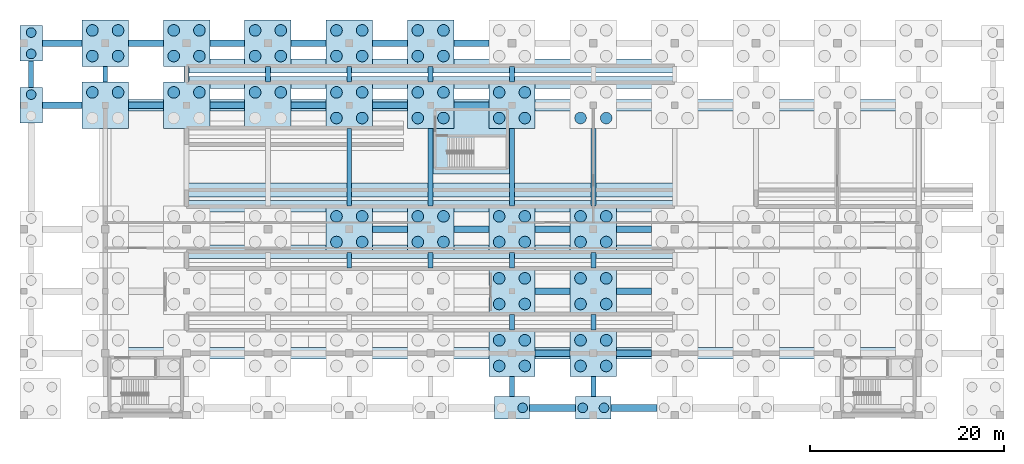
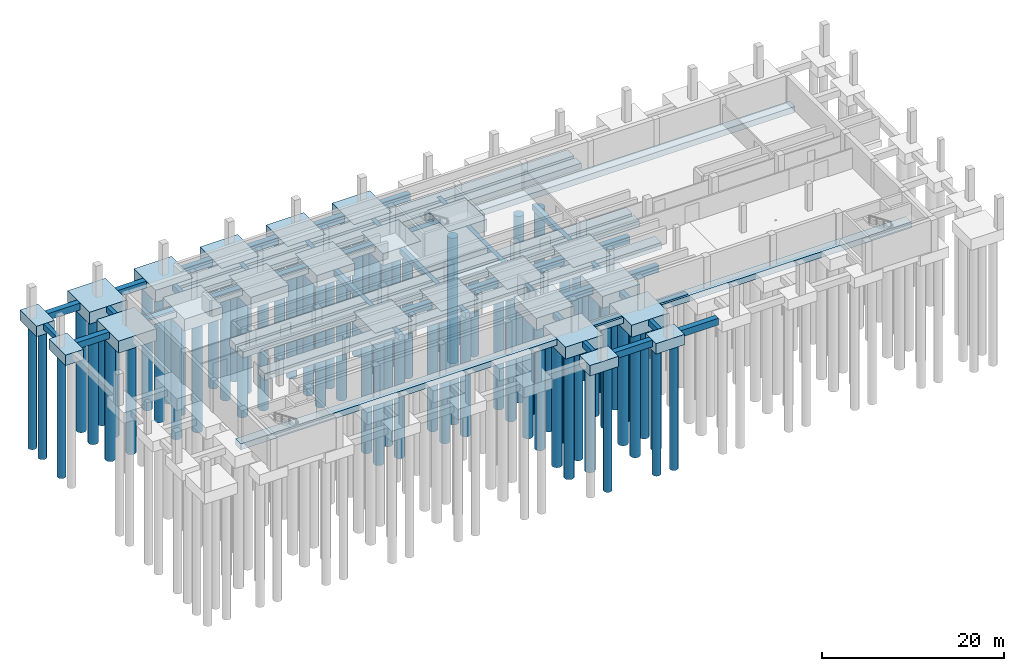
# One storey, part 2 of 9: 78 piles, 72 footings.
"""IFC4 building model written with IfcOpenShell, lengths in metres."""

import ifcopenshell
import ifcopenshell.guid

model = None  # the IFC model being written
_history = None  # IfcOwnerHistory: only IFC2X3 demands one
_inside = {}  # id of a spatial element -> (the spatial element, [elements in it])
_under = {}  # id of a project, library or spatial element -> (it, [spatial elements below it])
_declared = {}  # id of a project -> (the project, [libraries it declares])
_typed = {}  # id of a type object -> (the type object, [elements of that type])
_made_of = {}  # id of a material, layer set ... -> (it, [elements and type objects made of it])


def new_model(schema):
    """Start an empty IFC model of exactly this schema.

    Asked for "IFC4X3", IfcOpenShell would pick the latest addendum, in which some entities
    have other attributes; the version numbers below select the first issue.
    IFC2X3 requires an IfcOwnerHistory on every rooted entity: one is made here for all.
    """
    global model, _history
    if schema == "IFC4X3":
        model = ifcopenshell.file(schema_version=(4, 3, 0, 0))
    else:
        model = ifcopenshell.file(schema=schema)
    _inside.clear()
    _under.clear()
    _declared.clear()
    _typed.clear()
    _made_of.clear()
    _history = None
    if model.schema == "IFC2X3":
        org = make("IfcOrganization", Name="unknown")
        user = make(
            "IfcPersonAndOrganization",
            ThePerson=make("IfcPerson", FamilyName="unknown"),
            TheOrganization=org,
        )
        app = make(
            "IfcApplication",
            ApplicationDeveloper=org,
            Version="unknown",
            ApplicationFullName="unknown",
            ApplicationIdentifier="unknown",
        )
        _history = make(
            "IfcOwnerHistory",
            OwningUser=user,
            OwningApplication=app,
            ChangeAction="ADDED",
            CreationDate=0,
        )
    return model


def make(cls, **values):
    """One entity of the class cls with the attributes given. An attribute that is None is left unset."""
    return model.create_entity(
        cls, **{name: value for name, value in values.items() if value is not None}
    )


def rooted(cls, **values):
    """An entity with a GlobalId (a new one), such as an element, a storey or a relation."""
    return make(cls, GlobalId=ifcopenshell.guid.new(), OwnerHistory=_history, **values)


def si_unit(unit_type, name, prefix=None):
    """IfcSIUnit, for example si_unit("LENGTHUNIT", "METRE", prefix="MILLI")."""
    return make("IfcSIUnit", UnitType=unit_type, Prefix=prefix, Name=name)


def assignment(units):
    """IfcUnitAssignment: the units of a project."""
    return None if units is None else make("IfcUnitAssignment", Units=units)


def point(xyz):
    """IfcCartesianPoint."""
    return None if xyz is None else make("IfcCartesianPoint", Coordinates=xyz)


def direction(xyz):
    """IfcDirection."""
    return None if xyz is None else make("IfcDirection", DirectionRatios=xyz)


def frame(location, z_axis=None, x_axis=None):
    """IfcAxis2Placement3D, a coordinate frame: its origin and axes. An axis left out is left unset."""
    return make(
        "IfcAxis2Placement3D",
        Location=point(location),
        Axis=direction(z_axis),
        RefDirection=direction(x_axis),
    )


def frame_2d(location, x_axis=None):
    """IfcAxis2Placement2D, a coordinate frame in the plane: its origin and x axis."""
    return make(
        "IfcAxis2Placement2D", Location=point(location), RefDirection=direction(x_axis)
    )


def origin():
    """The frame at (0, 0, 0) with its axes left unset."""
    return frame((0.0, 0.0, 0.0))


def origin_2d():
    """The frame at (0, 0) in the plane with its x axis left unset."""
    return frame_2d((0.0, 0.0))


def place(relative_to, where):
    """IfcLocalPlacement: puts the frame where relative to a parent placement (None: the world)."""
    return make(
        "IfcLocalPlacement", PlacementRelTo=relative_to, RelativePlacement=where
    )


def context(
    kind, dimensions, precision=None, world=None, true_north=None, identifier=None
):
    """IfcGeometricRepresentationContext, for example the 3D "Model" context."""
    return make(
        "IfcGeometricRepresentationContext",
        ContextIdentifier=identifier,
        ContextType=kind,
        CoordinateSpaceDimension=dimensions,
        Precision=precision,
        WorldCoordinateSystem=world,
        TrueNorth=true_north,
    )


def subcontext(parent, identifier, kind, view, scale=None):
    """IfcGeometricRepresentationSubContext, for example "Body" below "Model"."""
    return make(
        "IfcGeometricRepresentationSubContext",
        ContextIdentifier=identifier,
        ContextType=kind,
        ParentContext=parent,
        TargetScale=scale,
        TargetView=view,
    )


def project(units=None, contexts=None):
    """IfcProject with its units and contexts."""
    return rooted(
        "IfcProject",
        Name="project",
        RepresentationContexts=contexts,
        UnitsInContext=assignment(units),
    )


def spatial(cls, under=None, at=None, **own):
    """A site, building, storey or space (cls), placed at a placement, below another one or the project."""
    s = rooted(cls, ObjectPlacement=at, **own)
    if under is not None:
        _under.setdefault(under.id(), (under, []))[1].append(s)
    return s


def polyline(points):
    """IfcPolyline through the points."""
    return make("IfcPolyline", Points=[point(p) for p in points])


def profile(cls, at=None, kind="AREA", **sizes):
    """A parametric profile (cls). Its sizes go by their IFC names, for example OverallWidth=200.0."""
    return make(cls, ProfileType=kind, Position=at, **sizes)


def rectangle(**sizes):
    """IfcRectangleProfileDef."""
    return profile("IfcRectangleProfileDef", **sizes)


def circle(**sizes):
    """IfcCircleProfileDef."""
    return profile("IfcCircleProfileDef", **sizes)


def outline(outer, holes=None, kind="AREA"):
    """IfcArbitraryClosedProfileDef: a profile drawn as a closed curve; with holes, ...WithVoids."""
    if holes is None:
        return make("IfcArbitraryClosedProfileDef", ProfileType=kind, OuterCurve=outer)
    return make(
        "IfcArbitraryProfileDefWithVoids",
        ProfileType=kind,
        OuterCurve=outer,
        InnerCurves=holes,
    )


def extrude(swept, where, along, depth):
    """IfcExtrudedAreaSolid: the profile swept, set in the frame where, extruded along a direction by depth."""
    return make(
        "IfcExtrudedAreaSolid",
        SweptArea=swept,
        Position=where,
        ExtrudedDirection=direction(along),
        Depth=depth,
    )


def shape(context_of_items, identifier, shape_type, items):
    """IfcShapeRepresentation: the items that make up one representation, for example the "Body"."""
    return make(
        "IfcShapeRepresentation",
        ContextOfItems=context_of_items,
        RepresentationIdentifier=identifier,
        RepresentationType=shape_type,
        Items=items,
    )


def material(Name=None, Category=None):
    """IfcMaterial."""
    return make("IfcMaterial", Name=Name, Category=Category)


def material_profile(
    of_material, cross_section, Name=None, Category=None, Priority=None
):
    """IfcMaterialProfile: a cross section and its material."""
    return make(
        "IfcMaterialProfile",
        Name=Name,
        Material=of_material,
        Profile=cross_section,
        Priority=Priority,
        Category=Category,
    )


def profile_set(profiles, Name=None, composite=None):
    """IfcMaterialProfileSet."""
    return make(
        "IfcMaterialProfileSet",
        Name=Name,
        MaterialProfiles=profiles,
        CompositeProfile=composite,
    )


def made_of(thing, what):
    """Note that an element or type object is made of a material, layer set ...; save() writes the relation."""
    if what is not None:
        _made_of.setdefault(what.id(), (what, []))[1].append(thing)
    return thing


def type_object(cls, material=None, **own):
    """A type object (cls), such as IfcWallType, which elements share."""
    return made_of(rooted(cls, **own), material)


def element(
    cls,
    number,
    at=None,
    inside=None,
    cuts=None,
    type_object=None,
    material=None,
    context=None,
    identifier="Body",
    shape_type=None,
    held_by="IfcProductDefinitionShape",
    body=None,
    shapes=None,
    **own,
):
    """One element of the class cls, such as IfcWall. Its Tag is "e" and its number.

    at: its placement. inside: the storey or other place that contains it. cuts: it is an
    opening in that element (IfcRelVoidsElement). A single representation is given by context,
    identifier, shape_type and body (its items); several are given by shapes. held_by: the class
    of the entity that holds the representations. save() writes the other relations.
    """
    e = rooted(cls, Tag="e%d" % number, ObjectPlacement=at, **own)
    if body is not None:
        shapes = [shape(context, identifier, shape_type, body)]
    if shapes is not None:
        e.Representation = make(held_by, Representations=shapes)
    if inside is not None:
        _inside.setdefault(inside.id(), (inside, []))[1].append(e)
    if cuts is not None:
        rooted(
            "IfcRelVoidsElement", RelatingBuildingElement=cuts, RelatedOpeningElement=e
        )
    if type_object is not None:
        _typed.setdefault(type_object.id(), (type_object, []))[1].append(e)
    return made_of(e, material)


def aggregate(whole, parts):
    """IfcRelAggregates: a whole, such as a stair, and the parts it consists of."""
    return rooted("IfcRelAggregates", RelatingObject=whole, RelatedObjects=parts)


def save(model, path):
    """Write the relations noted so far, then the file.

    IfcRelAggregates (storeys below a building ...), IfcRelContainedInSpatialStructure (elements
    in a storey), IfcRelDefinesByType, IfcRelAssociatesMaterial and IfcRelDeclares: one each for
    every whole, place, type object, material and project.
    """
    for whole, parts in _under.values():
        aggregate(whole, parts)
    for where, things in _inside.values():
        rooted(
            "IfcRelContainedInSpatialStructure",
            RelatedElements=things,
            RelatingStructure=where,
        )
    for kind, things in _typed.values():
        rooted("IfcRelDefinesByType", RelatedObjects=things, RelatingType=kind)
    for what, things in _made_of.values():
        rooted("IfcRelAssociatesMaterial", RelatedObjects=things, RelatingMaterial=what)
    for by, libraries in _declared.values():
        rooted("IfcRelDeclares", RelatingContext=by, RelatedDefinitions=libraries)
    model.write(path)


model = new_model("IFC4")

# Units and contexts
model_context = context("Model", 3, precision=1e-05, world=origin(), true_north=direction((0.0, 1.0)))
body_context = subcontext(model_context, "Body", "Model", "MODEL_VIEW")
ifc_project = project(units=[si_unit("LENGTHUNIT", "METRE"), si_unit("AREAUNIT", "SQUARE_METRE"), si_unit("VOLUMEUNIT", "CUBIC_METRE"), si_unit("PLANEANGLEUNIT", "RADIAN"), si_unit("MASSUNIT", "GRAM", prefix="KILO")], contexts=[model_context])

# Site, building, storey
site_placement = place(None, origin())
site = spatial("IfcSite", under=ifc_project, at=site_placement, CompositionType="ELEMENT")
building_placement = place(site_placement, origin())
building = spatial("IfcBuilding", under=site, at=building_placement, Name="Kazenagashi Tramway Depot", CompositionType="ELEMENT")
storey_placement = place(building_placement, frame((0.0, 0.0, -4.0)))
storey = spatial("IfcBuildingStorey", under=building, at=storey_placement, Name="B01", CompositionType="ELEMENT", Elevation=-4.0)

# Piles
ifc_material = material(Name="Concrete Fc30", Category="concrete")
ifc_material_profile_1 = material_profile(ifc_material, circle(Radius=0.5, at=origin_2d()), Name="PILE-1000")
ifc_profile_set_1 = profile_set([ifc_material_profile_1], Name="Concrete Fc30")
pile_type_1 = type_object("IfcPileType", Name="BP-01", PredefinedType="BORED", material=ifc_profile_set_1)
for number, where, z_axis, x_axis, name in (
    (1, (45.55, 53.8, -1.9), (0.0, 0.0, -1.0), (1.0, 0.0, 0.0), "Bored Pile BP-01 PILE-0219"),
    (2, (45.55, 56.0, -1.9), (0.0, 0.0, -1.0), (1.0, 0.0, 0.0), "Bored Pile BP-01 PILE-0220"),
    (3, (45.55, 49.6, -1.9), (0.0, 0.0, -1.0), (1.0, 0.0, 0.0), "Bored Pile BP-01 PILE-0222"),
    (4, (96.3, 17.25, -1.9), (0.0, 0.0, -1.0), (1.0, 0.0, 0.0), "Bored Pile BP-01 PILE-0334"),
    (5, (102.5, 17.25, -1.9), (0.0, 0.0, -1.0), (1.0, 0.0, 0.0), "Bored Pile BP-01 PILE-0355"),
    (6, (104.7, 17.25, -1.9), (0.0, 0.0, -1.0), (1.0, 0.0, 0.0), "Bored Pile BP-01 PILE-0356"),
):
    element("IfcPile", number, at=place(storey_placement, frame(where, z_axis=z_axis, x_axis=x_axis)), inside=storey, type_object=pile_type_1, Name=name, PredefinedType="BORED", context=body_context, shape_type="SweptSolid", body=[
        extrude(circle(Radius=0.5, at=origin_2d()), origin(), (0.0, 0.0, 1.0), 17.1),
    ])
ifc_material_profile_2 = material_profile(ifc_material, circle(Radius=0.6, at=origin_2d()), Name="PILE-1200")
ifc_profile_set_2 = profile_set([ifc_material_profile_2], Name="Concrete Fc30")
pile_type_2 = type_object("IfcPileType", Name="BP-02", PredefinedType="BORED", material=ifc_profile_set_2)
for number, where, z_axis, x_axis, name in (
    (7, (51.875, 53.575, -2.1), (0.0, 0.0, -1.0), (1.0, 0.0, 0.0), "Bored Pile BP-02 PILE-0237"),
    (8, (54.525, 53.575, -2.1), (0.0, 0.0, -1.0), (1.0, 0.0, 0.0), "Bored Pile BP-02 PILE-0238"),
    (9, (51.875, 56.225, -2.1), (0.0, 0.0, -1.0), (1.0, 0.0, 0.0), "Bored Pile BP-02 PILE-0239"),
    (10, (54.525, 56.225, -2.1), (0.0, 0.0, -1.0), (1.0, 0.0, 0.0), "Bored Pile BP-02 PILE-0240"),
    (11, (51.875, 49.825, -2.1), (0.0, 0.0, -1.0), (1.0, 0.0, 0.0), "Bored Pile BP-02 PILE-0243"),
    (12, (54.525, 49.825, -2.1), (0.0, 0.0, -1.0), (1.0, 0.0, 0.0), "Bored Pile BP-02 PILE-0244"),
    (13, (60.275, 53.575, -2.1), (0.0, 0.0, -1.0), (1.0, 0.0, 0.0), "Bored Pile BP-02 PILE-0259"),
    (14, (62.925, 53.575, -2.1), (0.0, 0.0, -1.0), (1.0, 0.0, 0.0), "Bored Pile BP-02 PILE-0260"),
    (15, (60.275, 56.225, -2.1), (0.0, 0.0, -1.0), (1.0, 0.0, 0.0), "Bored Pile BP-02 PILE-0261"),
    (16, (62.925, 56.225, -2.1), (0.0, 0.0, -1.0), (1.0, 0.0, 0.0), "Bored Pile BP-02 PILE-0262"),
    (17, (60.275, 49.825, -2.1), (0.0, 0.0, -1.0), (1.0, 0.0, 0.0), "Bored Pile BP-02 PILE-0265"),
    (18, (62.925, 49.825, -2.1), (0.0, 0.0, -1.0), (1.0, 0.0, 0.0), "Bored Pile BP-02 PILE-0266"),
    (19, (68.675, 53.575, -2.1), (0.0, 0.0, -1.0), (1.0, 0.0, 0.0), "Bored Pile BP-02 PILE-0281"),
    (20, (71.325, 53.575, -2.1), (0.0, 0.0, -1.0), (1.0, 0.0, 0.0), "Bored Pile BP-02 PILE-0282"),
    (21, (68.675, 56.225, -2.1), (0.0, 0.0, -1.0), (1.0, 0.0, 0.0), "Bored Pile BP-02 PILE-0283"),
    (22, (71.325, 56.225, -2.1), (0.0, 0.0, -1.0), (1.0, 0.0, 0.0), "Bored Pile BP-02 PILE-0284"),
    (23, (68.675, 49.825, -2.1), (0.0, 0.0, -1.0), (1.0, 0.0, 0.0), "Bored Pile BP-02 PILE-0287"),
    (24, (71.325, 49.825, -2.1), (0.0, 0.0, -1.0), (1.0, 0.0, 0.0), "Bored Pile BP-02 PILE-0288"),
    (25, (77.075, 34.375, -2.1), (0.0, 0.0, -1.0), (1.0, 0.0, 0.0), "Bored Pile BP-02 PILE-0299"),
    (26, (79.725, 34.375, -2.1), (0.0, 0.0, -1.0), (1.0, 0.0, 0.0), "Bored Pile BP-02 PILE-0300"),
    (27, (77.075, 37.025, -2.1), (0.0, 0.0, -1.0), (1.0, 0.0, 0.0), "Bored Pile BP-02 PILE-0301"),
    (28, (79.725, 37.025, -2.1), (0.0, 0.0, -1.0), (1.0, 0.0, 0.0), "Bored Pile BP-02 PILE-0302"),
    (29, (77.075, 53.575, -2.1), (0.0, 0.0, -1.0), (1.0, 0.0, 0.0), "Bored Pile BP-02 PILE-0303"),
    (30, (79.725, 53.575, -2.1), (0.0, 0.0, -1.0), (1.0, 0.0, 0.0), "Bored Pile BP-02 PILE-0304"),
    (31, (77.075, 56.225, -2.1), (0.0, 0.0, -1.0), (1.0, 0.0, 0.0), "Bored Pile BP-02 PILE-0305"),
    (32, (79.725, 56.225, -2.1), (0.0, 0.0, -1.0), (1.0, 0.0, 0.0), "Bored Pile BP-02 PILE-0306"),
    (33, (77.075, 47.175, -2.1), (0.0, 0.0, -1.0), (1.0, 0.0, 0.0), "Bored Pile BP-02 PILE-0307"),
    (34, (79.725, 47.175, -2.1), (0.0, 0.0, -1.0), (1.0, 0.0, 0.0), "Bored Pile BP-02 PILE-0308"),
    (35, (77.075, 49.825, -2.1), (0.0, 0.0, -1.0), (1.0, 0.0, 0.0), "Bored Pile BP-02 PILE-0309"),
    (36, (79.725, 49.825, -2.1), (0.0, 0.0, -1.0), (1.0, 0.0, 0.0), "Bored Pile BP-02 PILE-0310"),
    (37, (85.475, 34.375, -2.1), (0.0, 0.0, -1.0), (1.0, 0.0, 0.0), "Bored Pile BP-02 PILE-0321"),
    (38, (88.125, 34.375, -2.1), (0.0, 0.0, -1.0), (1.0, 0.0, 0.0), "Bored Pile BP-02 PILE-0322"),
    (39, (85.475, 37.025, -2.1), (0.0, 0.0, -1.0), (1.0, 0.0, 0.0), "Bored Pile BP-02 PILE-0323"),
    (40, (88.125, 37.025, -2.1), (0.0, 0.0, -1.0), (1.0, 0.0, 0.0), "Bored Pile BP-02 PILE-0324"),
    (41, (85.475, 53.575, -2.1), (0.0, 0.0, -1.0), (1.0, 0.0, 0.0), "Bored Pile BP-02 PILE-0325"),
    (42, (88.125, 53.575, -2.1), (0.0, 0.0, -1.0), (1.0, 0.0, 0.0), "Bored Pile BP-02 PILE-0326"),
    (43, (85.475, 56.225, -2.1), (0.0, 0.0, -1.0), (1.0, 0.0, 0.0), "Bored Pile BP-02 PILE-0327"),
    (44, (88.125, 56.225, -2.1), (0.0, 0.0, -1.0), (1.0, 0.0, 0.0), "Bored Pile BP-02 PILE-0328"),
    (45, (85.475, 47.175, -2.1), (0.0, 0.0, -1.0), (1.0, 0.0, 0.0), "Bored Pile BP-02 PILE-0329"),
    (46, (88.125, 47.175, -2.1), (0.0, 0.0, -1.0), (1.0, 0.0, 0.0), "Bored Pile BP-02 PILE-0330"),
    (47, (85.475, 49.825, -2.1), (0.0, 0.0, -1.0), (1.0, 0.0, 0.0), "Bored Pile BP-02 PILE-0331"),
    (48, (88.125, 49.825, -2.1), (0.0, 0.0, -1.0), (1.0, 0.0, 0.0), "Bored Pile BP-02 PILE-0332"),
    (49, (93.875, 21.575, -2.1), (0.0, 0.0, -1.0), (1.0, 0.0, 0.0), "Bored Pile BP-02 PILE-0335"),
    (50, (96.525, 21.575, -2.1), (0.0, 0.0, -1.0), (1.0, 0.0, 0.0), "Bored Pile BP-02 PILE-0336"),
    (51, (93.875, 24.225, -2.1), (0.0, 0.0, -1.0), (1.0, 0.0, 0.0), "Bored Pile BP-02 PILE-0337"),
    (52, (96.525, 24.225, -2.1), (0.0, 0.0, -1.0), (1.0, 0.0, 0.0), "Bored Pile BP-02 PILE-0338"),
    (53, (93.875, 27.975, -2.1), (0.0, 0.0, -1.0), (1.0, 0.0, 0.0), "Bored Pile BP-02 PILE-0339"),
    (54, (96.525, 27.975, -2.1), (0.0, 0.0, -1.0), (1.0, 0.0, 0.0), "Bored Pile BP-02 PILE-0340"),
    (55, (93.875, 30.625, -2.1), (0.0, 0.0, -1.0), (1.0, 0.0, 0.0), "Bored Pile BP-02 PILE-0341"),
    (56, (96.525, 30.625, -2.1), (0.0, 0.0, -1.0), (1.0, 0.0, 0.0), "Bored Pile BP-02 PILE-0342"),
    (57, (93.875, 34.375, -2.1), (0.0, 0.0, -1.0), (1.0, 0.0, 0.0), "Bored Pile BP-02 PILE-0343"),
    (58, (96.525, 34.375, -2.1), (0.0, 0.0, -1.0), (1.0, 0.0, 0.0), "Bored Pile BP-02 PILE-0344"),
    (59, (93.875, 37.025, -2.1), (0.0, 0.0, -1.0), (1.0, 0.0, 0.0), "Bored Pile BP-02 PILE-0345"),
    (60, (96.525, 37.025, -2.1), (0.0, 0.0, -1.0), (1.0, 0.0, 0.0), "Bored Pile BP-02 PILE-0346"),
    (61, (93.875, 47.175, -2.1), (0.0, 0.0, -1.0), (1.0, 0.0, 0.0), "Bored Pile BP-02 PILE-0351"),
    (62, (96.525, 47.175, -2.1), (0.0, 0.0, -1.0), (1.0, 0.0, 0.0), "Bored Pile BP-02 PILE-0352"),
    (63, (93.875, 49.825, -2.1), (0.0, 0.0, -1.0), (1.0, 0.0, 0.0), "Bored Pile BP-02 PILE-0353"),
    (64, (96.525, 49.825, -2.1), (0.0, 0.0, -1.0), (1.0, 0.0, 0.0), "Bored Pile BP-02 PILE-0354"),
    (65, (102.275, 21.575, -2.1), (0.0, 0.0, -1.0), (1.0, 0.0, 0.0), "Bored Pile BP-02 PILE-0357"),
    (66, (104.925, 21.575, -2.1), (0.0, 0.0, -1.0), (1.0, 0.0, 0.0), "Bored Pile BP-02 PILE-0358"),
    (67, (102.275, 24.225, -2.1), (0.0, 0.0, -1.0), (1.0, 0.0, 0.0), "Bored Pile BP-02 PILE-0359"),
    (68, (104.925, 24.225, -2.1), (0.0, 0.0, -1.0), (1.0, 0.0, 0.0), "Bored Pile BP-02 PILE-0360"),
    (69, (102.275, 27.975, -2.1), (0.0, 0.0, -1.0), (1.0, 0.0, 0.0), "Bored Pile BP-02 PILE-0361"),
    (70, (104.925, 27.975, -2.1), (0.0, 0.0, -1.0), (1.0, 0.0, 0.0), "Bored Pile BP-02 PILE-0362"),
    (71, (102.275, 30.625, -2.1), (0.0, 0.0, -1.0), (1.0, 0.0, 0.0), "Bored Pile BP-02 PILE-0363"),
    (72, (104.925, 30.625, -2.1), (0.0, 0.0, -1.0), (1.0, 0.0, 0.0), "Bored Pile BP-02 PILE-0364"),
    (73, (102.275, 34.375, -2.1), (0.0, 0.0, -1.0), (1.0, 0.0, 0.0), "Bored Pile BP-02 PILE-0365"),
    (74, (104.925, 34.375, -2.1), (0.0, 0.0, -1.0), (1.0, 0.0, 0.0), "Bored Pile BP-02 PILE-0366"),
    (75, (102.275, 37.025, -2.1), (0.0, 0.0, -1.0), (1.0, 0.0, 0.0), "Bored Pile BP-02 PILE-0367"),
    (76, (104.925, 37.025, -2.1), (0.0, 0.0, -1.0), (1.0, 0.0, 0.0), "Bored Pile BP-02 PILE-0368"),
    (77, (102.275, 47.175, -2.1), (0.0, 0.0, -1.0), (1.0, 0.0, 0.0), "Bored Pile BP-02 PILE-0373"),
    (78, (104.925, 47.175, -2.1), (0.0, 0.0, -1.0), (1.0, 0.0, 0.0), "Bored Pile BP-02 PILE-0374"),
):
    element("IfcPile", number, at=place(storey_placement, frame(where, z_axis=z_axis, x_axis=x_axis)), inside=storey, type_object=pile_type_2, Name=name, PredefinedType="BORED", context=body_context, shape_type="SweptSolid", body=[
        extrude(circle(Radius=0.6, at=origin_2d()), origin(), (0.0, 0.0, 1.0), 16.9),
    ])

# Footings
footing_type_1 = type_object("IfcFootingType", Name="FB-02", PredefinedType="FOOTING_BEAM", material=ifc_material)
footing_1_placement = place(storey_placement, frame((0.0, 0.0, -1.5)))
element("IfcFooting", 79, at=footing_1_placement, inside=storey, type_object=footing_type_1, Name="Footing Tie Beam FB-0431", PredefinedType="FOOTING_BEAM", context=body_context, shape_type="SweptSolid", body=[
    extrude(outline(polyline([(97.02, 16.9), (101.78, 16.9), (101.78, 17.6), (97.02, 17.6), (97.02, 16.9)])), origin(), (0.0, 0.0, 1.0), 0.9),
])
footing_2_placement = place(storey_placement, frame((0.0, 0.0, -1.5)))
element("IfcFooting", 80, at=footing_2_placement, inside=storey, type_object=footing_type_1, Name="Footing Tie Beam FB-0432", PredefinedType="FOOTING_BEAM", context=body_context, shape_type="SweptSolid", body=[
    extrude(outline(polyline([(105.42, 16.9), (110.18, 16.9), (110.18, 17.6), (105.42, 17.6), (105.42, 16.9)])), origin(), (0.0, 0.0, 1.0), 0.9),
])
footing_3_placement = place(storey_placement, frame((0.0, 0.0, -1.5)))
element("IfcFooting", 81, at=footing_3_placement, inside=storey, type_object=footing_type_1, Name="Footing Tie Beam FB-0442", PredefinedType="FOOTING_BEAM", context=body_context, shape_type="SweptSolid", body=[
    extrude(outline(polyline([(97.6, 22.55), (101.2, 22.55), (101.2, 23.25), (97.6, 23.25), (97.6, 22.55)])), origin(), (0.0, 0.0, 1.0), 0.9),
])
footing_4_placement = place(storey_placement, frame((0.0, 0.0, -1.5)))
element("IfcFooting", 82, at=footing_4_placement, inside=storey, type_object=footing_type_1, Name="Footing Tie Beam FB-0443", PredefinedType="FOOTING_BEAM", context=body_context, shape_type="SweptSolid", body=[
    extrude(outline(polyline([(106.0, 22.55), (109.6, 22.55), (109.6, 23.25), (106.0, 23.25), (106.0, 22.55)])), origin(), (0.0, 0.0, 1.0), 0.9),
])
footing_5_placement = place(storey_placement, frame((0.0, 0.0, -1.5)))
element("IfcFooting", 83, at=footing_5_placement, inside=storey, type_object=footing_type_1, Name="Footing Tie Beam FB-0454", PredefinedType="FOOTING_BEAM", context=body_context, shape_type="SweptSolid", body=[
    extrude(outline(polyline([(97.6, 28.95), (101.2, 28.95), (101.2, 29.65), (97.6, 29.65), (97.6, 28.95)])), origin(), (0.0, 0.0, 1.0), 0.9),
])
footing_6_placement = place(storey_placement, frame((0.0, 0.0, -1.5)))
element("IfcFooting", 84, at=footing_6_placement, inside=storey, type_object=footing_type_1, Name="Footing Tie Beam FB-0455", PredefinedType="FOOTING_BEAM", context=body_context, shape_type="SweptSolid", body=[
    extrude(outline(polyline([(106.0, 28.95), (109.6, 28.95), (109.6, 29.65), (106.0, 29.65), (106.0, 28.95)])), origin(), (0.0, 0.0, 1.0), 0.9),
])
footing_7_placement = place(storey_placement, frame((0.0, 0.0, -1.5)))
element("IfcFooting", 85, at=footing_7_placement, inside=storey, type_object=footing_type_1, Name="Footing Tie Beam FB-0464", PredefinedType="FOOTING_BEAM", context=body_context, shape_type="SweptSolid", body=[
    extrude(outline(polyline([(80.8, 35.35), (84.4, 35.35), (84.4, 36.05), (80.8, 36.05), (80.8, 35.35)])), origin(), (0.0, 0.0, 1.0), 0.9),
])
footing_8_placement = place(storey_placement, frame((0.0, 0.0, -1.5)))
element("IfcFooting", 86, at=footing_8_placement, inside=storey, type_object=footing_type_1, Name="Footing Tie Beam FB-0465", PredefinedType="FOOTING_BEAM", context=body_context, shape_type="SweptSolid", body=[
    extrude(outline(polyline([(89.2, 35.35), (92.8, 35.35), (92.8, 36.05), (89.2, 36.05), (89.2, 35.35)])), origin(), (0.0, 0.0, 1.0), 0.9),
])
footing_9_placement = place(storey_placement, frame((0.0, 0.0, -1.5)))
element("IfcFooting", 87, at=footing_9_placement, inside=storey, type_object=footing_type_1, Name="Footing Tie Beam FB-0466", PredefinedType="FOOTING_BEAM", context=body_context, shape_type="SweptSolid", body=[
    extrude(outline(polyline([(97.6, 35.35), (101.2, 35.35), (101.2, 36.05), (97.6, 36.05), (97.6, 35.35)])), origin(), (0.0, 0.0, 1.0), 0.9),
])
footing_10_placement = place(storey_placement, frame((0.0, 0.0, -1.5)))
element("IfcFooting", 88, at=footing_10_placement, inside=storey, type_object=footing_type_1, Name="Footing Tie Beam FB-0467", PredefinedType="FOOTING_BEAM", context=body_context, shape_type="SweptSolid", body=[
    extrude(outline(polyline([(106.0, 35.35), (109.6, 35.35), (109.6, 36.05), (106.0, 36.05), (106.0, 35.35)])), origin(), (0.0, 0.0, 1.0), 0.9),
])
footing_11_placement = place(storey_placement, frame((0.0, 0.0, -1.5)))
element("IfcFooting", 89, at=footing_11_placement, inside=storey, type_object=footing_type_1, Name="Footing Tie Beam FB-0472", PredefinedType="FOOTING_BEAM", context=body_context, shape_type="SweptSolid", body=[
    extrude(outline(polyline([(46.7, 48.15), (50.8, 48.15), (50.8, 48.85), (46.7, 48.85), (46.7, 48.15)])), origin(), (0.0, 0.0, 1.0), 0.9),
])
footing_12_placement = place(storey_placement, frame((0.0, 0.0, -1.5)))
element("IfcFooting", 90, at=footing_12_placement, inside=storey, type_object=footing_type_1, Name="Footing Tie Beam FB-0473", PredefinedType="FOOTING_BEAM", context=body_context, shape_type="SweptSolid", body=[
    extrude(outline(polyline([(55.6, 48.15), (59.2, 48.15), (59.2, 48.85), (55.6, 48.85), (55.6, 48.15)])), origin(), (0.0, 0.0, 1.0), 0.9),
])
footing_13_placement = place(storey_placement, frame((0.0, 0.0, -1.5)))
element("IfcFooting", 91, at=footing_13_placement, inside=storey, type_object=footing_type_1, Name="Footing Tie Beam FB-0474", PredefinedType="FOOTING_BEAM", context=body_context, shape_type="SweptSolid", body=[
    extrude(outline(polyline([(64.0, 48.15), (67.6, 48.15), (67.6, 48.85), (64.0, 48.85), (64.0, 48.15)])), origin(), (0.0, 0.0, 1.0), 0.9),
])
footing_14_placement = place(storey_placement, frame((0.0, 0.0, -1.5)))
element("IfcFooting", 92, at=footing_14_placement, inside=storey, type_object=footing_type_1, Name="Footing Tie Beam FB-0475", PredefinedType="FOOTING_BEAM", context=body_context, shape_type="SweptSolid", body=[
    extrude(outline(polyline([(72.4, 48.15), (76.0, 48.15), (76.0, 48.85), (72.4, 48.85), (72.4, 48.15)])), origin(), (0.0, 0.0, 1.0), 0.9),
])
footing_15_placement = place(storey_placement, frame((0.0, 0.0, -1.5)))
element("IfcFooting", 93, at=footing_15_placement, inside=storey, type_object=footing_type_1, Name="Footing Tie Beam FB-0476", PredefinedType="FOOTING_BEAM", context=body_context, shape_type="SweptSolid", body=[
    extrude(outline(polyline([(80.8, 48.15), (84.4, 48.15), (84.4, 48.85), (80.8, 48.85), (80.8, 48.15)])), origin(), (0.0, 0.0, 1.0), 0.9),
])
footing_16_placement = place(storey_placement, frame((0.0, 0.0, -1.5)))
element("IfcFooting", 94, at=footing_16_placement, inside=storey, type_object=footing_type_1, Name="Footing Tie Beam FB-0477", PredefinedType="FOOTING_BEAM", context=body_context, shape_type="SweptSolid", body=[
    extrude(outline(polyline([(89.2, 48.15), (92.8, 48.15), (92.8, 48.85), (89.2, 48.85), (89.2, 48.15)])), origin(), (0.0, 0.0, 1.0), 0.9),
])
footing_17_placement = place(storey_placement, frame((0.0, 0.0, -1.5)))
element("IfcFooting", 95, at=footing_17_placement, inside=storey, type_object=footing_type_1, Name="Footing Tie Beam FB-0484", PredefinedType="FOOTING_BEAM", context=body_context, shape_type="SweptSolid", body=[
    extrude(outline(polyline([(46.7, 54.55), (50.8, 54.55), (50.8, 55.25), (46.7, 55.25), (46.7, 54.55)])), origin(), (0.0, 0.0, 1.0), 0.9),
])
footing_18_placement = place(storey_placement, frame((0.0, 0.0, -1.5)))
element("IfcFooting", 96, at=footing_18_placement, inside=storey, type_object=footing_type_1, Name="Footing Tie Beam FB-0485", PredefinedType="FOOTING_BEAM", context=body_context, shape_type="SweptSolid", body=[
    extrude(outline(polyline([(55.6, 54.55), (59.2, 54.55), (59.2, 55.25), (55.6, 55.25), (55.6, 54.55)])), origin(), (0.0, 0.0, 1.0), 0.9),
])
footing_19_placement = place(storey_placement, frame((0.0, 0.0, -1.5)))
element("IfcFooting", 97, at=footing_19_placement, inside=storey, type_object=footing_type_1, Name="Footing Tie Beam FB-0486", PredefinedType="FOOTING_BEAM", context=body_context, shape_type="SweptSolid", body=[
    extrude(outline(polyline([(64.0, 54.55), (67.6, 54.55), (67.6, 55.25), (64.0, 55.25), (64.0, 54.55)])), origin(), (0.0, 0.0, 1.0), 0.9),
])
footing_20_placement = place(storey_placement, frame((0.0, 0.0, -1.5)))
element("IfcFooting", 98, at=footing_20_placement, inside=storey, type_object=footing_type_1, Name="Footing Tie Beam FB-0487", PredefinedType="FOOTING_BEAM", context=body_context, shape_type="SweptSolid", body=[
    extrude(outline(polyline([(72.4, 54.55), (76.0, 54.55), (76.0, 55.25), (72.4, 55.25), (72.4, 54.55)])), origin(), (0.0, 0.0, 1.0), 0.9),
])
footing_21_placement = place(storey_placement, frame((0.0, 0.0, -1.5)))
element("IfcFooting", 99, at=footing_21_placement, inside=storey, type_object=footing_type_1, Name="Footing Tie Beam FB-0488", PredefinedType="FOOTING_BEAM", context=body_context, shape_type="SweptSolid", body=[
    extrude(outline(polyline([(80.8, 54.55), (84.4, 54.55), (84.4, 55.25), (80.8, 55.25), (80.8, 54.55)])), origin(), (0.0, 0.0, 1.0), 0.9),
])
footing_22_placement = place(storey_placement, frame((0.0, 0.0, -1.5)))
element("IfcFooting", 100, at=footing_22_placement, inside=storey, type_object=footing_type_1, Name="Footing Tie Beam FB-0489", PredefinedType="FOOTING_BEAM", context=body_context, shape_type="SweptSolid", body=[
    extrude(outline(polyline([(89.2, 54.55), (92.8, 54.55), (92.8, 55.25), (89.2, 55.25), (89.2, 54.55)])), origin(), (0.0, 0.0, 1.0), 0.9),
])
footing_type_2 = type_object("IfcFootingType", Name="FB-03", PredefinedType="FOOTING_BEAM", material=ifc_material)
footing_23_placement = place(storey_placement, frame((0.0, 0.0, -1.35)))
element("IfcFooting", 101, at=footing_23_placement, inside=storey, type_object=footing_type_2, Name="Footing Tie Beam FB-0499", PredefinedType="FOOTING_BEAM", context=body_context, shape_type="SweptSolid", body=[
    extrude(outline(polyline([(45.3, 50.32), (45.8, 50.32), (45.8, 53.08), (45.3, 53.08), (45.3, 50.32)])), origin(), (0.0, 0.0, 1.0), 0.75),
])
footing_24_placement = place(storey_placement, frame((0.0, 0.0, -1.35)))
element("IfcFooting", 102, at=footing_24_placement, inside=storey, type_object=footing_type_2, Name="Footing Tie Beam FB-0504", PredefinedType="FOOTING_BEAM", context=body_context, shape_type="SweptSolid", body=[
    extrude(outline(polyline([(52.95, 50.9), (53.45, 50.9), (53.45, 52.5), (52.95, 52.5), (52.95, 50.9)])), origin(), (0.0, 0.0, 1.0), 0.75),
])
footing_25_placement = place(storey_placement, frame((0.0, 0.0, -1.35)))
element("IfcFooting", 103, at=footing_25_placement, inside=storey, type_object=footing_type_2, Name="Footing Tie Beam FB-0509", PredefinedType="FOOTING_BEAM", context=body_context, shape_type="SweptSolid", body=[
    extrude(outline(polyline([(61.35, 50.9), (61.85, 50.9), (61.85, 52.5), (61.35, 52.5), (61.35, 50.9)])), origin(), (0.0, 0.0, 1.0), 0.75),
])
footing_26_placement = place(storey_placement, frame((0.0, 0.0, -1.35)))
element("IfcFooting", 104, at=footing_26_placement, inside=storey, type_object=footing_type_2, Name="Footing Tie Beam FB-0514", PredefinedType="FOOTING_BEAM", context=body_context, shape_type="SweptSolid", body=[
    extrude(outline(polyline([(69.75, 50.9), (70.25, 50.9), (70.25, 52.5), (69.75, 52.5), (69.75, 50.9)])), origin(), (0.0, 0.0, 1.0), 0.75),
])
footing_27_placement = place(storey_placement, frame((0.0, 0.0, -1.35)))
element("IfcFooting", 105, at=footing_27_placement, inside=storey, type_object=footing_type_2, Name="Footing Tie Beam FB-0517", PredefinedType="FOOTING_BEAM", context=body_context, shape_type="SweptSolid", body=[
    extrude(outline(polyline([(78.15, 31.7), (78.65, 31.7), (78.65, 33.3), (78.15, 33.3), (78.15, 31.7)])), origin(), (0.0, 0.0, 1.0), 0.75),
])
footing_28_placement = place(storey_placement, frame((0.0, 0.0, -1.35)))
element("IfcFooting", 106, at=footing_28_placement, inside=storey, type_object=footing_type_2, Name="Footing Tie Beam FB-0518", PredefinedType="FOOTING_BEAM", context=body_context, shape_type="SweptSolid", body=[
    extrude(outline(polyline([(78.15, 38.1), (78.65, 38.1), (78.65, 46.1), (78.15, 46.1), (78.15, 38.1)])), origin(), (0.0, 0.0, 1.0), 0.75),
])
footing_29_placement = place(storey_placement, frame((0.0, 0.0, -1.35)))
element("IfcFooting", 107, at=footing_29_placement, inside=storey, type_object=footing_type_2, Name="Footing Tie Beam FB-0519", PredefinedType="FOOTING_BEAM", context=body_context, shape_type="SweptSolid", body=[
    extrude(outline(polyline([(78.15, 50.9), (78.65, 50.9), (78.65, 52.5), (78.15, 52.5), (78.15, 50.9)])), origin(), (0.0, 0.0, 1.0), 0.75),
])
footing_30_placement = place(storey_placement, frame((0.0, 0.0, -1.35)))
element("IfcFooting", 108, at=footing_30_placement, inside=storey, type_object=footing_type_2, Name="Footing Tie Beam FB-0522", PredefinedType="FOOTING_BEAM", context=body_context, shape_type="SweptSolid", body=[
    extrude(outline(polyline([(86.55, 31.7), (87.05, 31.7), (87.05, 33.3), (86.55, 33.3), (86.55, 31.7)])), origin(), (0.0, 0.0, 1.0), 0.75),
])
footing_31_placement = place(storey_placement, frame((0.0, 0.0, -1.35)))
element("IfcFooting", 109, at=footing_31_placement, inside=storey, type_object=footing_type_2, Name="Footing Tie Beam FB-0523", PredefinedType="FOOTING_BEAM", context=body_context, shape_type="SweptSolid", body=[
    extrude(outline(polyline([(86.55, 38.1), (87.05, 38.1), (87.05, 46.1), (86.55, 46.1), (86.55, 38.1)])), origin(), (0.0, 0.0, 1.0), 0.75),
])
footing_32_placement = place(storey_placement, frame((0.0, 0.0, -1.35)))
element("IfcFooting", 110, at=footing_32_placement, inside=storey, type_object=footing_type_2, Name="Footing Tie Beam FB-0524", PredefinedType="FOOTING_BEAM", context=body_context, shape_type="SweptSolid", body=[
    extrude(outline(polyline([(86.55, 50.9), (87.05, 50.9), (87.05, 52.5), (86.55, 52.5), (86.55, 50.9)])), origin(), (0.0, 0.0, 1.0), 0.75),
])
footing_33_placement = place(storey_placement, frame((0.0, 0.0, -1.35)))
element("IfcFooting", 111, at=footing_33_placement, inside=storey, type_object=footing_type_2, Name="Footing Tie Beam FB-0525", PredefinedType="FOOTING_BEAM", context=body_context, shape_type="SweptSolid", body=[
    extrude(outline(polyline([(94.95, 18.4), (95.45, 18.4), (95.45, 20.5), (94.95, 20.5), (94.95, 18.4)])), origin(), (0.0, 0.0, 1.0), 0.75),
])
footing_34_placement = place(storey_placement, frame((0.0, 0.0, -1.35)))
element("IfcFooting", 112, at=footing_34_placement, inside=storey, type_object=footing_type_2, Name="Footing Tie Beam FB-0526", PredefinedType="FOOTING_BEAM", context=body_context, shape_type="SweptSolid", body=[
    extrude(outline(polyline([(94.95, 25.3), (95.45, 25.3), (95.45, 26.9), (94.95, 26.9), (94.95, 25.3)])), origin(), (0.0, 0.0, 1.0), 0.75),
])
footing_35_placement = place(storey_placement, frame((0.0, 0.0, -1.35)))
element("IfcFooting", 113, at=footing_35_placement, inside=storey, type_object=footing_type_2, Name="Footing Tie Beam FB-0527", PredefinedType="FOOTING_BEAM", context=body_context, shape_type="SweptSolid", body=[
    extrude(outline(polyline([(94.95, 31.7), (95.45, 31.7), (95.45, 33.3), (94.95, 33.3), (94.95, 31.7)])), origin(), (0.0, 0.0, 1.0), 0.75),
])
footing_36_placement = place(storey_placement, frame((0.0, 0.0, -1.35)))
element("IfcFooting", 114, at=footing_36_placement, inside=storey, type_object=footing_type_2, Name="Footing Tie Beam FB-0528", PredefinedType="FOOTING_BEAM", context=body_context, shape_type="SweptSolid", body=[
    extrude(outline(polyline([(94.95, 38.1), (95.45, 38.1), (95.45, 46.1), (94.95, 46.1), (94.95, 38.1)])), origin(), (0.0, 0.0, 1.0), 0.75),
])
footing_37_placement = place(storey_placement, frame((0.0, 0.0, -1.35)))
element("IfcFooting", 115, at=footing_37_placement, inside=storey, type_object=footing_type_2, Name="Footing Tie Beam FB-0529", PredefinedType="FOOTING_BEAM", context=body_context, shape_type="SweptSolid", body=[
    extrude(outline(polyline([(94.95, 50.9), (95.45, 50.9), (95.45, 52.5), (94.95, 52.5), (94.95, 50.9)])), origin(), (0.0, 0.0, 1.0), 0.75),
])
footing_38_placement = place(storey_placement, frame((0.0, 0.0, -1.35)))
element("IfcFooting", 116, at=footing_38_placement, inside=storey, type_object=footing_type_2, Name="Footing Tie Beam FB-0530", PredefinedType="FOOTING_BEAM", context=body_context, shape_type="SweptSolid", body=[
    extrude(outline(polyline([(103.35, 18.4), (103.85, 18.4), (103.85, 20.5), (103.35, 20.5), (103.35, 18.4)])), origin(), (0.0, 0.0, 1.0), 0.75),
])
footing_39_placement = place(storey_placement, frame((0.0, 0.0, -1.35)))
element("IfcFooting", 117, at=footing_39_placement, inside=storey, type_object=footing_type_2, Name="Footing Tie Beam FB-0531", PredefinedType="FOOTING_BEAM", context=body_context, shape_type="SweptSolid", body=[
    extrude(outline(polyline([(103.35, 25.3), (103.85, 25.3), (103.85, 26.9), (103.35, 26.9), (103.35, 25.3)])), origin(), (0.0, 0.0, 1.0), 0.75),
])
footing_40_placement = place(storey_placement, frame((0.0, 0.0, -1.35)))
element("IfcFooting", 118, at=footing_40_placement, inside=storey, type_object=footing_type_2, Name="Footing Tie Beam FB-0532", PredefinedType="FOOTING_BEAM", context=body_context, shape_type="SweptSolid", body=[
    extrude(outline(polyline([(103.35, 31.7), (103.85, 31.7), (103.85, 33.3), (103.35, 33.3), (103.35, 31.7)])), origin(), (0.0, 0.0, 1.0), 0.75),
])
footing_41_placement = place(storey_placement, frame((0.0, 0.0, -1.35)))
element("IfcFooting", 119, at=footing_41_placement, inside=storey, type_object=footing_type_2, Name="Footing Tie Beam FB-0533", PredefinedType="FOOTING_BEAM", context=body_context, shape_type="SweptSolid", body=[
    extrude(outline(polyline([(103.35, 38.1), (103.85, 38.1), (103.85, 46.1), (103.35, 46.1), (103.35, 38.1)])), origin(), (0.0, 0.0, 1.0), 0.75),
])
footing_type_3 = type_object("IfcFootingType", Name="PC-06", PredefinedType="PILE_CAP", material=ifc_material)
for number, where, z_axis, x_axis, name in (
    (120, (53.2, 54.9, -2.2), (0.0, 0.0, 1.0), (1.0, 0.0, 0.0), "Pile Cap PC-06 CAP-096"),
    (121, (53.2, 48.5, -2.2), (0.0, 0.0, 1.0), (1.0, 0.0, 0.0), "Pile Cap PC-06 CAP-097"),
    (122, (61.6, 54.9, -2.2), (0.0, 0.0, 1.0), (1.0, 0.0, 0.0), "Pile Cap PC-06 CAP-102"),
    (123, (61.6, 48.5, -2.2), (0.0, 0.0, 1.0), (1.0, 0.0, 0.0), "Pile Cap PC-06 CAP-103"),
    (124, (70.0, 54.9, -2.2), (0.0, 0.0, 1.0), (1.0, 0.0, 0.0), "Pile Cap PC-06 CAP-108"),
    (125, (70.0, 48.5, -2.2), (0.0, 0.0, 1.0), (1.0, 0.0, 0.0), "Pile Cap PC-06 CAP-109"),
    (126, (78.4, 35.7, -2.2), (0.0, 0.0, 1.0), (1.0, 0.0, 0.0), "Pile Cap PC-06 CAP-113"),
    (127, (78.4, 54.9, -2.2), (0.0, 0.0, 1.0), (1.0, 0.0, 0.0), "Pile Cap PC-06 CAP-114"),
    (128, (78.4, 48.5, -2.2), (0.0, 0.0, 1.0), (1.0, 0.0, 0.0), "Pile Cap PC-06 CAP-115"),
    (129, (86.8, 35.7, -2.2), (0.0, 0.0, 1.0), (1.0, 0.0, 0.0), "Pile Cap PC-06 CAP-119"),
    (130, (86.8, 54.9, -2.2), (0.0, 0.0, 1.0), (1.0, 0.0, 0.0), "Pile Cap PC-06 CAP-120"),
    (131, (86.8, 48.5, -2.2), (0.0, 0.0, 1.0), (1.0, 0.0, 0.0), "Pile Cap PC-06 CAP-121"),
    (132, (95.2, 22.9, -2.2), (0.0, 0.0, 1.0), (1.0, 0.0, 0.0), "Pile Cap PC-06 CAP-123"),
    (133, (95.2, 29.3, -2.2), (0.0, 0.0, 1.0), (1.0, 0.0, 0.0), "Pile Cap PC-06 CAP-124"),
    (134, (95.2, 35.7, -2.2), (0.0, 0.0, 1.0), (1.0, 0.0, 0.0), "Pile Cap PC-06 CAP-125"),
    (135, (95.2, 48.5, -2.2), (0.0, 0.0, 1.0), (1.0, 0.0, 0.0), "Pile Cap PC-06 CAP-127"),
    (136, (103.6, 22.9, -2.2), (0.0, 0.0, 1.0), (1.0, 0.0, 0.0), "Pile Cap PC-06 CAP-129"),
    (137, (103.6, 29.3, -2.2), (0.0, 0.0, 1.0), (1.0, 0.0, 0.0), "Pile Cap PC-06 CAP-130"),
    (138, (103.6, 35.7, -2.2), (0.0, 0.0, 1.0), (1.0, 0.0, 0.0), "Pile Cap PC-06 CAP-131"),
):
    element("IfcFooting", number, at=place(storey_placement, frame(where, z_axis=z_axis, x_axis=x_axis)), inside=storey, type_object=footing_type_3, Name=name, PredefinedType="PILE_CAP", context=body_context, shape_type="SweptSolid", body=[
        extrude(rectangle(XDim=4.8, YDim=4.8, at=origin_2d()), origin(), (0.0, 0.0, 1.0), 1.6),
    ])
footing_type_4 = type_object("IfcFootingType", Name="PC-11", PredefinedType="PILE_CAP", material=ifc_material)
for number, where, z_axis, x_axis, name in (
    (139, (45.55, 54.9, -2.0), (0.0, 0.0, 1.0), (1.0, 0.0, 0.0), "Pile Cap PC-11 CAP-090"),
    (140, (45.55, 48.5, -2.0), (0.0, 0.0, 1.0), (1.0, 0.0, 0.0), "Pile Cap PC-11 CAP-091"),
):
    element("IfcFooting", number, at=place(storey_placement, frame(where, z_axis=z_axis, x_axis=x_axis)), inside=storey, type_object=footing_type_4, Name=name, PredefinedType="PILE_CAP", context=body_context, shape_type="SweptSolid", body=[
        extrude(rectangle(XDim=2.3, YDim=3.64, at=origin_2d()), origin(), (0.0, 0.0, 1.0), 1.4),
    ])
footing_type_5 = type_object("IfcFootingType", Name="PC-12", PredefinedType="PILE_CAP", material=ifc_material)
for number, where, z_axis, x_axis, name in (
    (141, (95.2, 17.25, -2.0), (0.0, 0.0, 1.0), (1.0, 0.0, 0.0), "Pile Cap PC-12 CAP-122"),
    (142, (103.6, 17.25, -2.0), (0.0, 0.0, 1.0), (1.0, 0.0, 0.0), "Pile Cap PC-12 CAP-128"),
):
    element("IfcFooting", number, at=place(storey_placement, frame(where, z_axis=z_axis, x_axis=x_axis)), inside=storey, type_object=footing_type_5, Name=name, PredefinedType="PILE_CAP", context=body_context, shape_type="SweptSolid", body=[
        extrude(rectangle(XDim=3.64, YDim=2.3, at=origin_2d()), origin(), (0.0, 0.0, 1.0), 1.4),
    ])
footing_type_6 = type_object("IfcFootingType", Name="SF-01", PredefinedType="STRIP_FOOTING", material=ifc_material)
footing_42_placement = place(storey_placement, frame((0.0, 0.0, -1.4)))
element("IfcFooting", 143, at=footing_42_placement, inside=storey, type_object=footing_type_6, Name="Pit Foundation Strip Footing SF-005", PredefinedType="STRIP_FOOTING", context=body_context, shape_type="SweptSolid", body=[
    extrude(outline(polyline([(61.6, 37.45), (112.0, 37.45), (112.0, 38.65), (61.6, 38.65), (61.6, 37.45)])), origin(), (0.0, 0.0, 1.0), 0.8),
])
footing_43_placement = place(storey_placement, frame((0.0, 0.0, -1.4)))
element("IfcFooting", 144, at=footing_43_placement, inside=storey, type_object=footing_type_6, Name="Pit Foundation Strip Footing SF-009", PredefinedType="STRIP_FOOTING", context=body_context, shape_type="SweptSolid", body=[
    extrude(outline(polyline([(61.6, 50.25), (112.0, 50.25), (112.0, 51.45), (61.6, 51.45), (61.6, 50.25)])), origin(), (0.0, 0.0, 1.0), 0.8),
])
footing_44_placement = place(storey_placement, frame((0.0, 0.0, -1.4)))
element("IfcFooting", 145, at=footing_44_placement, inside=storey, type_object=footing_type_6, Name="Retaining Wall Strip Footing SF-024", PredefinedType="STRIP_FOOTING", context=body_context, shape_type="SweptSolid", body=[
    extrude(outline(polyline([(52.6, 22.3), (137.8, 22.3), (137.8, 23.5), (52.6, 23.5), (52.6, 22.3)])), origin(), (0.0, 0.0, 1.0), 0.8),
])
footing_45_placement = place(storey_placement, frame((0.0, 0.0, -1.4)))
element("IfcFooting", 146, at=footing_45_placement, inside=storey, type_object=footing_type_6, Name="Retaining Wall Strip Footing SF-025", PredefinedType="STRIP_FOOTING", context=body_context, shape_type="SweptSolid", body=[
    extrude(outline(polyline([(52.6, 47.9), (137.8, 47.9), (137.8, 49.1), (52.6, 49.1), (52.6, 47.9)])), origin(), (0.0, 0.0, 1.0), 0.8),
])
footing_type_7 = type_object("IfcFootingType", Name="SF-02", PredefinedType="STRIP_FOOTING", material=ifc_material)
footing_46_placement = place(storey_placement, frame((0.0, 0.0, -1.5)))
element("IfcFooting", 147, at=footing_46_placement, inside=storey, type_object=footing_type_7, Name="Pit Foundation Strip Footing SF-004", PredefinedType="STRIP_FOOTING", context=body_context, shape_type="SweptSolid", body=[
    extrude(outline(polyline([(61.6, 32.65), (112.0, 32.65), (112.0, 34.05), (61.6, 34.05), (61.6, 32.65)])), origin(), (0.0, 0.0, 1.0), 0.9),
])
footing_47_placement = place(storey_placement, frame((0.0, 0.0, -1.5)))
element("IfcFooting", 148, at=footing_47_placement, inside=storey, type_object=footing_type_7, Name="Pit Foundation Strip Footing SF-006", PredefinedType="STRIP_FOOTING", context=body_context, shape_type="SweptSolid", body=[
    extrude(outline(polyline([(61.6, 39.05), (112.0, 39.05), (112.0, 40.45), (61.6, 40.45), (61.6, 39.05)])), origin(), (0.0, 0.0, 1.0), 0.9),
])
footing_48_placement = place(storey_placement, frame((0.0, 0.0, -1.5)))
element("IfcFooting", 149, at=footing_48_placement, inside=storey, type_object=footing_type_7, Name="Pit Foundation Strip Footing SF-010", PredefinedType="STRIP_FOOTING", context=body_context, shape_type="SweptSolid", body=[
    extrude(outline(polyline([(61.6, 51.85), (112.0, 51.85), (112.0, 53.25), (61.6, 53.25), (61.6, 51.85)])), origin(), (0.0, 0.0, 1.0), 0.9),
])
footing_49_placement = place(storey_placement, frame((0.0, 0.0, -1.45)))
element("IfcFooting", 150, at=footing_49_placement, inside=storey, type_object=footing_type_7, Name="Core Foundation Mat Strip SF-019", PredefinedType="STRIP_FOOTING", context=body_context, shape_type="SweptSolid", body=[
    extrude(outline(polyline([(86.7, 41.4), (95.3, 41.4), (95.3, 48.6), (86.7, 48.6), (86.7, 41.4)])), origin(), (0.0, 0.0, 1.0), 0.85),
])

save(model, "model.ifc")
